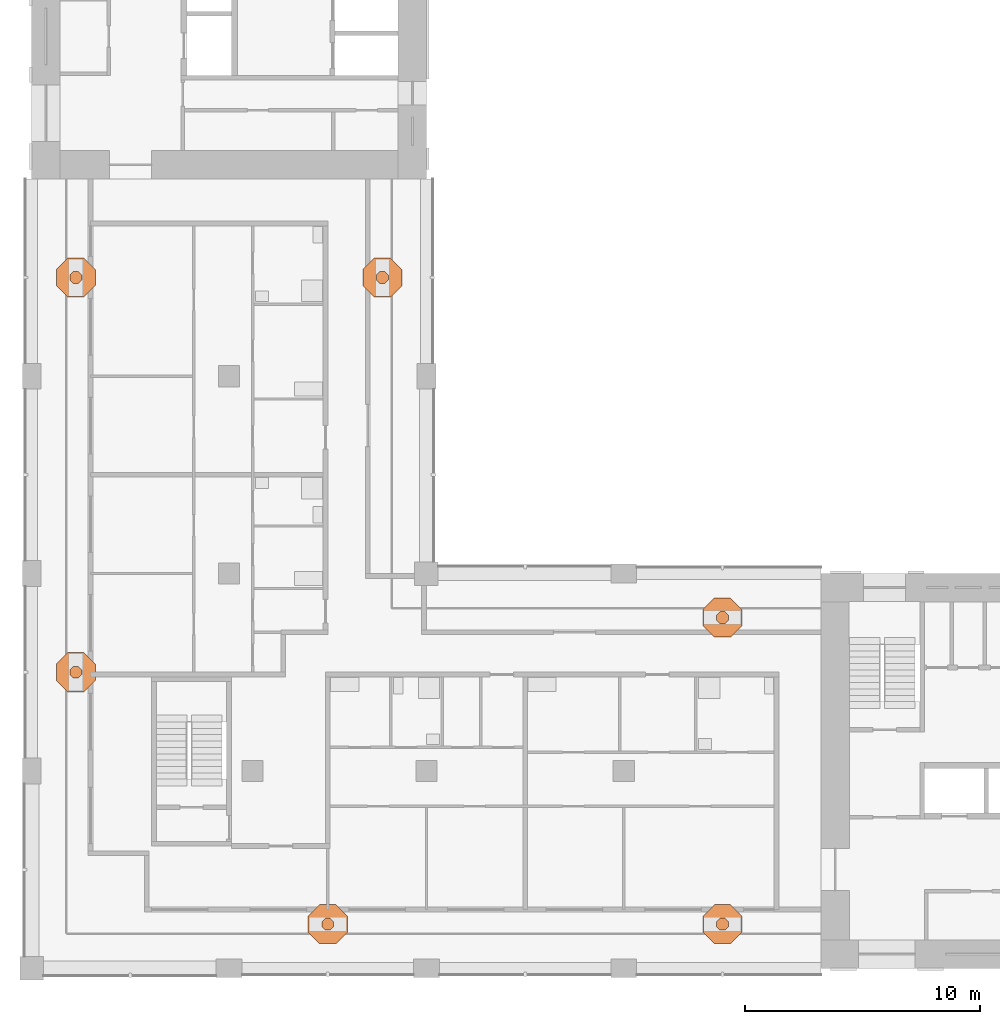
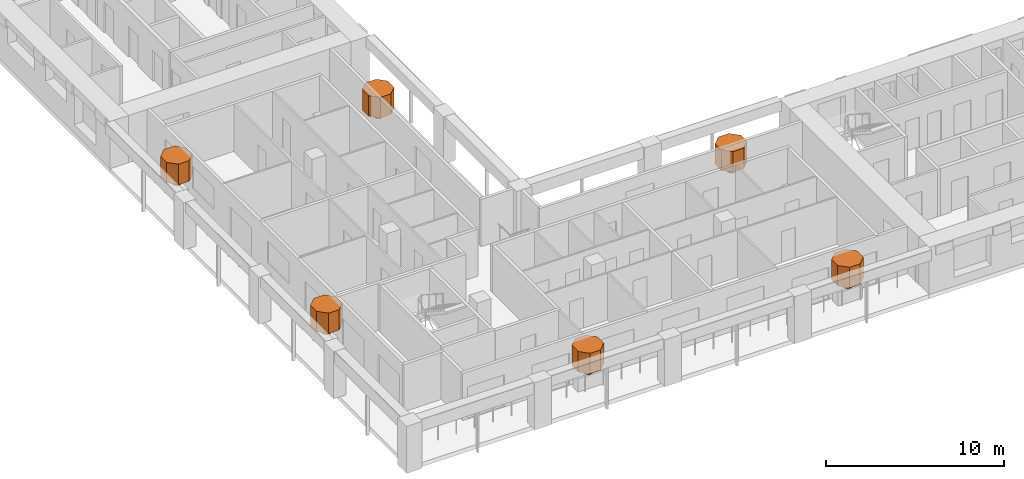
# One storey, part 12 of 12: 12 geographic elements.
"""IFC4 building model written with IfcOpenShell, lengths in metres."""

from ifc_helpers import new_model, si_unit, direction, frame, origin, place, context, subcontext, project, spatial, polyline, outline, extrude, material, element, save


model = new_model("IFC4")

# Units and contexts
model_context = context("Model", 3, precision=1e-05, world=origin(), true_north=direction((0.0, 1.0)))
body_context = subcontext(model_context, "Body", "Model", "MODEL_VIEW")
ifc_project = project(units=[si_unit("LENGTHUNIT", "METRE"), si_unit("AREAUNIT", "SQUARE_METRE"), si_unit("VOLUMEUNIT", "CUBIC_METRE"), si_unit("PLANEANGLEUNIT", "RADIAN"), si_unit("MASSUNIT", "GRAM", prefix="KILO")], contexts=[model_context])

# Site, building, storey
site_placement = place(None, origin())
site = spatial("IfcSite", under=ifc_project, at=site_placement, CompositionType="ELEMENT")
building_placement = place(site_placement, origin())
building = spatial("IfcBuilding", under=site, at=building_placement, Name="Vermilion Gate Residences", CompositionType="ELEMENT")
storey_placement = place(building_placement, frame((0.0, 0.0, 217.699951171875)))
storey = spatial("IfcBuildingStorey", under=building, at=storey_placement, Name="L56", CompositionType="ELEMENT", Elevation=217.699951171875)

# Geographic elements
ifc_material = material(Name="Foliage")
geographic_element_1_placement = place(storey_placement, frame((0.0, 0.0, 0.900146484375)))
element("IfcGeographicElement", 1, at=geographic_element_1_placement, inside=storey, material=ifc_material, Name="Tree (black pine)", ObjectType="TREE", PredefinedType="USERDEFINED", context=body_context, shape_type="SweptSolid", body=[
    extrude(outline(polyline([(21.254150390625, 10.380126953125), (21.105224609375, 10.529052734375), (20.894775390625, 10.529052734375), (20.745849609375, 10.380126953125), (20.745849609375, 10.169921875), (20.894775390625, 10.02099609375), (21.105224609375, 10.02099609375), (21.254150390625, 10.169921875), (21.254150390625, 10.380126953125)])), origin(), (0.0, 0.0, 1.0), 0.52001953125),
])
geographic_element_2_placement = place(storey_placement, frame((0.0, 0.0, 1.420166015625)))
element("IfcGeographicElement", 2, at=geographic_element_2_placement, inside=storey, material=ifc_material, Name="Tree crown (black pine)", ObjectType="TREE", PredefinedType="USERDEFINED", context=body_context, shape_type="SweptSolid", body=[
    extrude(outline(polyline([(21.83154296875, 10.619384765625), (21.344482421875, 11.1064453125), (20.655517578125, 11.1064453125), (20.16845703125, 10.619384765625), (20.16845703125, 9.9306640625), (20.655517578125, 9.443603515625), (21.344482421875, 9.443603515625), (21.83154296875, 9.9306640625), (21.83154296875, 10.619384765625)])), origin(), (0.0, 0.0, 1.0), 1.39990234375),
])
geographic_element_3_placement = place(storey_placement, frame((0.0, 0.0, 0.900146484375)))
element("IfcGeographicElement", 3, at=geographic_element_3_placement, inside=storey, material=ifc_material, Name="Tree (maple)", ObjectType="TREE", PredefinedType="USERDEFINED", context=body_context, shape_type="SweptSolid", body=[
    extrude(outline(polyline([(38.05419921875, 10.380126953125), (37.9052734375, 10.529052734375), (37.69482421875, 10.529052734375), (37.5458984375, 10.380126953125), (37.5458984375, 10.169921875), (37.69482421875, 10.02099609375), (37.9052734375, 10.02099609375), (38.05419921875, 10.169921875), (38.05419921875, 10.380126953125)])), origin(), (0.0, 0.0, 1.0), 0.52001953125),
])
geographic_element_4_placement = place(storey_placement, frame((0.0, 0.0, 1.420166015625)))
element("IfcGeographicElement", 4, at=geographic_element_4_placement, inside=storey, material=ifc_material, Name="Tree crown (maple)", ObjectType="TREE", PredefinedType="USERDEFINED", context=body_context, shape_type="SweptSolid", body=[
    extrude(outline(polyline([(38.631591796875, 10.619384765625), (38.144287109375, 11.1064453125), (37.45556640625, 11.1064453125), (36.968505859375, 10.619384765625), (36.968505859375, 9.9306640625), (37.45556640625, 9.443603515625), (38.144287109375, 9.443603515625), (38.631591796875, 9.9306640625), (38.631591796875, 10.619384765625)])), origin(), (0.0, 0.0, 1.0), 1.39990234375),
])
geographic_element_5_placement = place(storey_placement, frame((0.0, 0.0, 0.900146484375)))
element("IfcGeographicElement", 5, at=geographic_element_5_placement, inside=storey, material=ifc_material, Name="Tree (maple)", ObjectType="TREE", PredefinedType="USERDEFINED", context=body_context, shape_type="SweptSolid", body=[
    extrude(outline(polyline([(38.05419921875, 23.43017578125), (37.9052734375, 23.5791015625), (37.69482421875, 23.5791015625), (37.5458984375, 23.43017578125), (37.5458984375, 23.2197265625), (37.69482421875, 23.07080078125), (37.9052734375, 23.07080078125), (38.05419921875, 23.2197265625), (38.05419921875, 23.43017578125)])), origin(), (0.0, 0.0, 1.0), 0.52001953125),
])
geographic_element_6_placement = place(storey_placement, frame((0.0, 0.0, 1.420166015625)))
element("IfcGeographicElement", 6, at=geographic_element_6_placement, inside=storey, material=ifc_material, Name="Tree crown (maple)", ObjectType="TREE", PredefinedType="USERDEFINED", context=body_context, shape_type="SweptSolid", body=[
    extrude(outline(polyline([(38.631591796875, 23.66943359375), (38.144287109375, 24.156494140625), (37.45556640625, 24.156494140625), (36.968505859375, 23.66943359375), (36.968505859375, 22.980712890625), (37.45556640625, 22.493408203125), (38.144287109375, 22.493408203125), (38.631591796875, 22.980712890625), (38.631591796875, 23.66943359375)])), origin(), (0.0, 0.0, 1.0), 1.39990234375),
])
geographic_element_7_placement = place(storey_placement, frame((0.0, 0.0, 0.900146484375)))
element("IfcGeographicElement", 7, at=geographic_element_7_placement, inside=storey, material=ifc_material, Name="Tree (maple)", ObjectType="TREE", PredefinedType="USERDEFINED", context=body_context, shape_type="SweptSolid", body=[
    extrude(outline(polyline([(23.5791015625, 37.9052734375), (23.43017578125, 38.05419921875), (23.2197265625, 38.05419921875), (23.07080078125, 37.9052734375), (23.07080078125, 37.69482421875), (23.2197265625, 37.5458984375), (23.43017578125, 37.5458984375), (23.5791015625, 37.69482421875), (23.5791015625, 37.9052734375)])), origin(), (0.0, 0.0, 1.0), 0.52001953125),
])
geographic_element_8_placement = place(storey_placement, frame((0.0, 0.0, 1.420166015625)))
element("IfcGeographicElement", 8, at=geographic_element_8_placement, inside=storey, material=ifc_material, Name="Tree crown (maple)", ObjectType="TREE", PredefinedType="USERDEFINED", context=body_context, shape_type="SweptSolid", body=[
    extrude(outline(polyline([(24.156494140625, 38.144287109375), (23.66943359375, 38.631591796875), (22.980712890625, 38.631591796875), (22.493408203125, 38.144287109375), (22.493408203125, 37.45556640625), (22.980712890625, 36.968505859375), (23.66943359375, 36.968505859375), (24.156494140625, 37.45556640625), (24.156494140625, 38.144287109375)])), origin(), (0.0, 0.0, 1.0), 1.39990234375),
])
geographic_element_9_placement = place(storey_placement, frame((0.0, 0.0, 0.900146484375)))
element("IfcGeographicElement", 9, at=geographic_element_9_placement, inside=storey, material=ifc_material, Name="Tree (black pine)", ObjectType="TREE", PredefinedType="USERDEFINED", context=body_context, shape_type="SweptSolid", body=[
    extrude(outline(polyline([(10.529052734375, 21.105224609375), (10.380126953125, 21.254150390625), (10.169921875, 21.254150390625), (10.02099609375, 21.105224609375), (10.02099609375, 20.894775390625), (10.169921875, 20.745849609375), (10.380126953125, 20.745849609375), (10.529052734375, 20.894775390625), (10.529052734375, 21.105224609375)])), origin(), (0.0, 0.0, 1.0), 0.52001953125),
])
geographic_element_10_placement = place(storey_placement, frame((0.0, 0.0, 1.420166015625)))
element("IfcGeographicElement", 10, at=geographic_element_10_placement, inside=storey, material=ifc_material, Name="Tree crown (black pine)", ObjectType="TREE", PredefinedType="USERDEFINED", context=body_context, shape_type="SweptSolid", body=[
    extrude(outline(polyline([(11.1064453125, 21.344482421875), (10.619384765625, 21.83154296875), (9.9306640625, 21.83154296875), (9.443603515625, 21.344482421875), (9.443603515625, 20.655517578125), (9.9306640625, 20.16845703125), (10.619384765625, 20.16845703125), (11.1064453125, 20.655517578125), (11.1064453125, 21.344482421875)])), origin(), (0.0, 0.0, 1.0), 1.39990234375),
])
geographic_element_11_placement = place(storey_placement, frame((0.0, 0.0, 0.900146484375)))
element("IfcGeographicElement", 11, at=geographic_element_11_placement, inside=storey, material=ifc_material, Name="Tree (maple)", ObjectType="TREE", PredefinedType="USERDEFINED", context=body_context, shape_type="SweptSolid", body=[
    extrude(outline(polyline([(10.529052734375, 37.9052734375), (10.380126953125, 38.05419921875), (10.169921875, 38.05419921875), (10.02099609375, 37.9052734375), (10.02099609375, 37.69482421875), (10.169921875, 37.5458984375), (10.380126953125, 37.5458984375), (10.529052734375, 37.69482421875), (10.529052734375, 37.9052734375)])), origin(), (0.0, 0.0, 1.0), 0.52001953125),
])
geographic_element_12_placement = place(storey_placement, frame((0.0, 0.0, 1.420166015625)))
element("IfcGeographicElement", 12, at=geographic_element_12_placement, inside=storey, material=ifc_material, Name="Tree crown (maple)", ObjectType="TREE", PredefinedType="USERDEFINED", context=body_context, shape_type="SweptSolid", body=[
    extrude(outline(polyline([(11.1064453125, 38.144287109375), (10.619384765625, 38.631591796875), (9.9306640625, 38.631591796875), (9.443603515625, 38.144287109375), (9.443603515625, 37.45556640625), (9.9306640625, 36.968505859375), (10.619384765625, 36.968505859375), (11.1064453125, 37.45556640625), (11.1064453125, 38.144287109375)])), origin(), (0.0, 0.0, 1.0), 1.39990234375),
])

save(model, "model.ifc")
